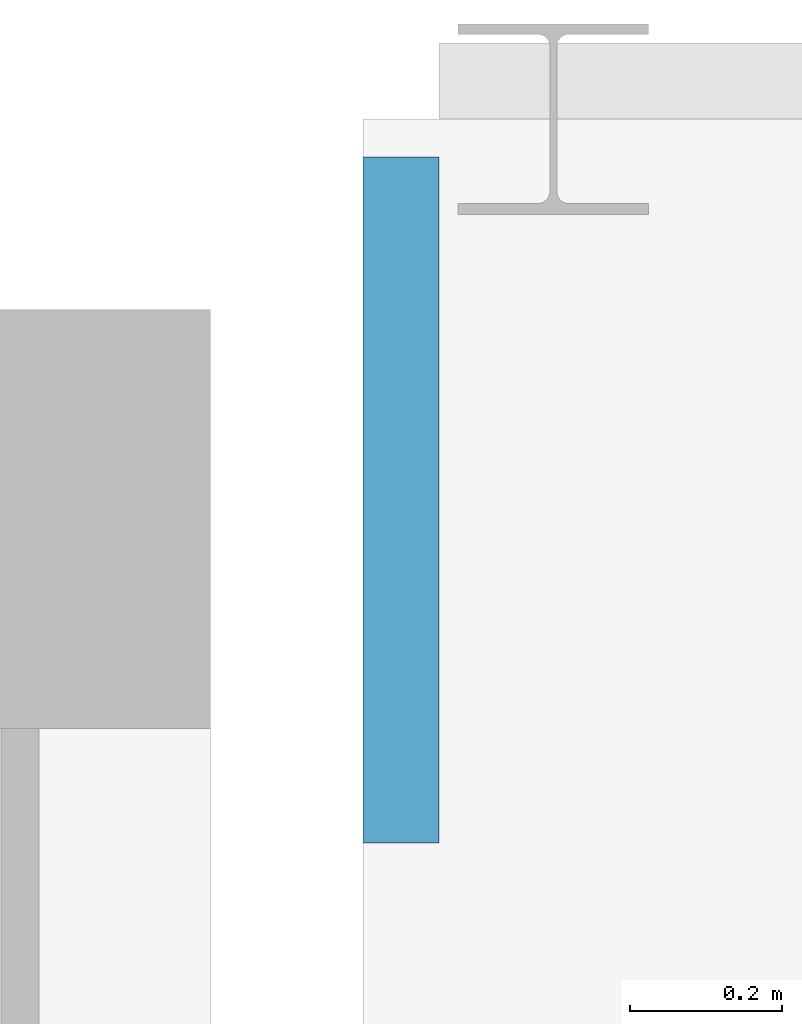
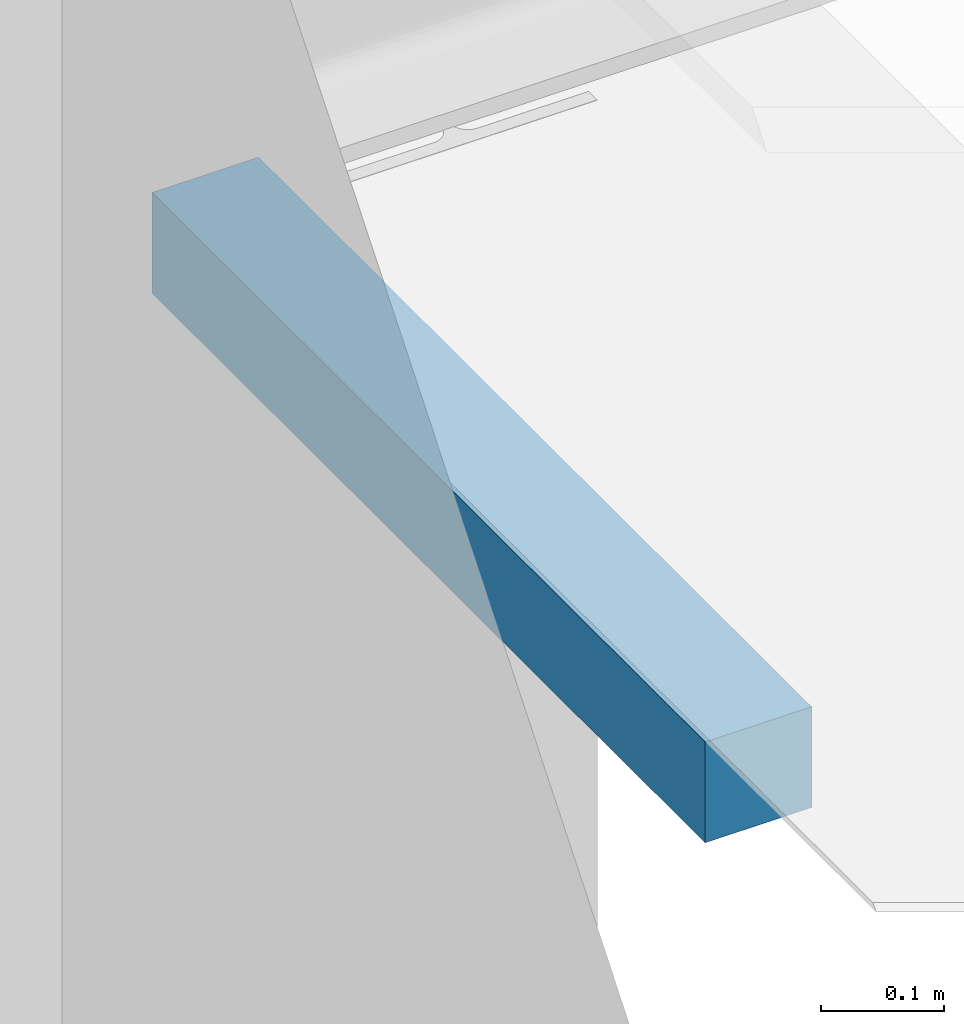
# One storey, part 64 of 71: 1 discrete accessory.
"""IFC4 building model written with IfcOpenShell, lengths in metres."""

from ifc_helpers import new_model, si_unit, direction, frame, origin, origin_2d, place, context, subcontext, project, spatial, rectangle, extrude, material, type_object, element, save


model = new_model("IFC4")

# Units and contexts
model_context = context("Model", 3, precision=1e-05, world=origin(), true_north=direction((0.0, 1.0)))
body_context = subcontext(model_context, "Body", "Model", "MODEL_VIEW")
ifc_project = project(units=[si_unit("LENGTHUNIT", "METRE"), si_unit("AREAUNIT", "SQUARE_METRE"), si_unit("VOLUMEUNIT", "CUBIC_METRE"), si_unit("PLANEANGLEUNIT", "RADIAN"), si_unit("MASSUNIT", "GRAM", prefix="KILO")], contexts=[model_context])

# Site, building, storey
site_placement = place(None, origin())
site = spatial("IfcSite", under=ifc_project, at=site_placement, CompositionType="ELEMENT")
building_placement = place(site_placement, origin())
building = spatial("IfcBuilding", under=site, at=building_placement, Name="Basin Gate Institute", CompositionType="ELEMENT")
storey_placement = place(building_placement, origin())
storey = spatial("IfcBuildingStorey", under=building, at=storey_placement, Name="L00", CompositionType="ELEMENT", Elevation=0.0)

# Discrete accessory
ifc_material = material(Name="Galvanised steel angle", Category="steel")
discrete_accessory_type = type_object("IfcDiscreteAccessoryType", Name="Passage joint bracket JB2", PredefinedType="BRACKET", material=ifc_material)
discrete_accessory_placement = place(storey_placement, frame((119.300048828125, 99.89990234375, 4.69384765625), z_axis=(0.0, 0.0, 1.0), x_axis=(1.0, 0.0, 0.0)))
element("IfcDiscreteAccessory", 1, at=discrete_accessory_placement, inside=storey, type_object=discrete_accessory_type, material=ifc_material, Name="East court passage joint bracket 1", PredefinedType="BRACKET", context=body_context, shape_type="SweptSolid", body=[
    extrude(rectangle(XDim=0.10009765625, YDim=0.89990234375, at=origin_2d()), origin(), (0.0, 0.0, 1.0), 0.10009765625),
])

save(model, "model.ifc")
